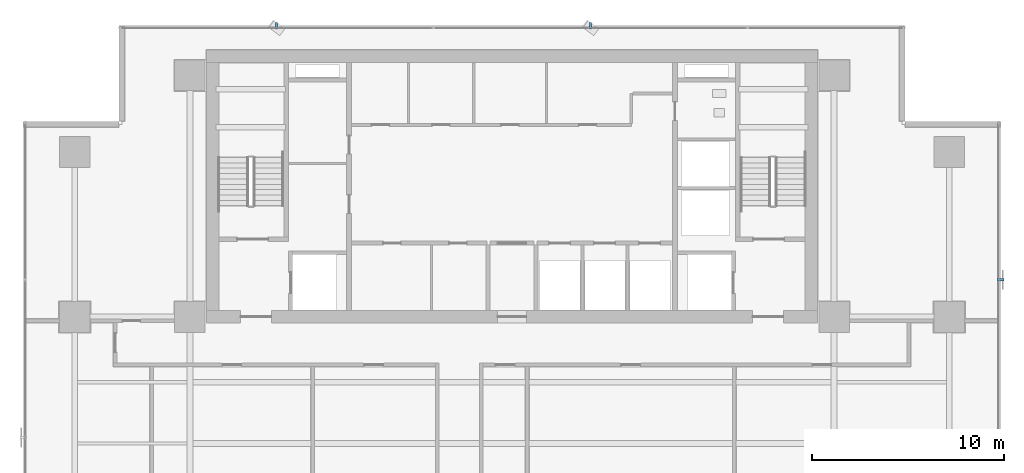
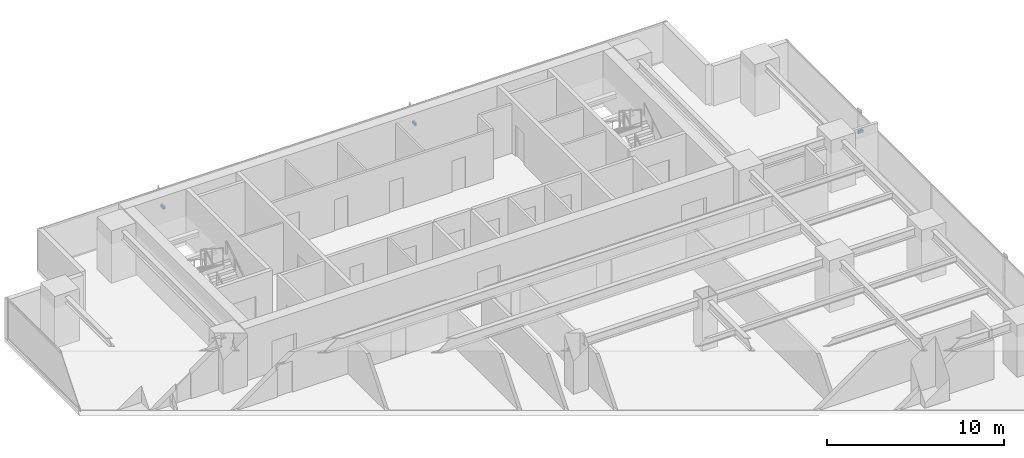
# One storey, part 32 of 37: 3 discrete accessories.
"""IFC4 building model written with IfcOpenShell, lengths in metres."""

from ifc_helpers import new_model, si_unit, direction, frame, origin, origin_2d, place, context, subcontext, project, spatial, rectangle, extrude, source, transform, mapped, material, material_profile, profile_set, type_object, element, save


model = new_model("IFC4")

# Units and contexts
model_context = context("Model", 3, precision=1e-05, world=origin(), true_north=direction((0.0, 1.0)))
body_context = subcontext(model_context, "Body", "Model", "MODEL_VIEW")
ifc_project = project(units=[si_unit("LENGTHUNIT", "METRE"), si_unit("AREAUNIT", "SQUARE_METRE"), si_unit("VOLUMEUNIT", "CUBIC_METRE"), si_unit("PLANEANGLEUNIT", "RADIAN"), si_unit("MASSUNIT", "GRAM", prefix="KILO")], contexts=[model_context])

# Site, building, storey
site_placement = place(None, origin())
site = spatial("IfcSite", under=ifc_project, at=site_placement, CompositionType="ELEMENT")
building_placement = place(site_placement, origin())
building = spatial("IfcBuilding", under=site, at=building_placement, Name="Sumidabori Civic Tower", CompositionType="ELEMENT")
storey_placement = place(building_placement, frame((0.0, 0.0, 117.199951171875)))
storey = spatial("IfcBuildingStorey", under=building, at=storey_placement, Name="L30", CompositionType="ELEMENT", Elevation=117.199951171875)

# Discrete accessories
ifc_material = material(Name="Stainless Steel Hairline Finish", Category="steel")
ifc_material_profile = material_profile(ifc_material, rectangle(XDim=0.1201171875, YDim=0.179931640625, at=origin_2d()), Name="STEEL BRACKET 180x120")
ifc_profile_set = profile_set([ifc_material_profile], Name="Stainless Steel Hairline Finish")
discrete_accessory_type = type_object("IfcDiscreteAccessoryType", Name="AC-BRK-180", PredefinedType="BRACKET", material=ifc_profile_set)
shared_shape_1 = source(origin(), body_context, "Body", "SweptSolid", [
    extrude(rectangle(XDim=0.1201171875, YDim=0.179931640625, at=origin_2d()), origin(), (0.0, 0.0, 1.0), 0.329833984375),
])
discrete_accessory_placement = place(storey_placement, frame((25.330078125, 12.14208984375, 1.360107421875), z_axis=(1.0, 0.0, 0.0), x_axis=(0.0, 1.0, 0.0)))
element("IfcDiscreteAccessory", 1, at=discrete_accessory_placement, inside=storey, type_object=discrete_accessory_type, Name="Bronze Fin Fixing Bracket L30-04", PredefinedType="BRACKET", context=body_context, shape_type="MappedRepresentation", body=[
    mapped(shared_shape_1, transform((0.0, 0.0, 0.0), x_axis=(1.0, 0.0, 0.0), y_axis=(0.0, 1.0, 0.0), z_axis=(0.0, 0.0, 1.0), scale=1.0)),
])
shared_shape_2 = source(origin(), body_context, "Body", "SweptSolid", [
    extrude(rectangle(XDim=0.1201171875, YDim=0.179931640625, at=origin_2d()), origin(), (0.0, 0.0, 1.0), 0.330078125),
])
for number, where, z_axis, x_axis, name in (
    (2, (4.093994140625, 25.22998046875, 1.360107421875), (0.0, 1.0, 0.0), (-1.0, 0.0, 0.0), "Bronze Fin Fixing Bracket L30-02"),
    (3, (-12.281982421875, 25.22998046875, 1.360107421875), (0.0, 1.0, 0.0), (-1.0, 0.0, 0.0), "Bronze Fin Fixing Bracket L30-04"),
):
    element("IfcDiscreteAccessory", number, at=place(storey_placement, frame(where, z_axis=z_axis, x_axis=x_axis)), inside=storey, type_object=discrete_accessory_type, Name=name, PredefinedType="BRACKET", context=body_context, shape_type="MappedRepresentation", body=[
        mapped(shared_shape_2, transform((0.0, 0.0, 0.0), x_axis=(1.0, 0.0, 0.0), y_axis=(0.0, 1.0, 0.0), z_axis=(0.0, 0.0, 1.0), scale=1.0)),
    ])

save(model, "model.ifc")
